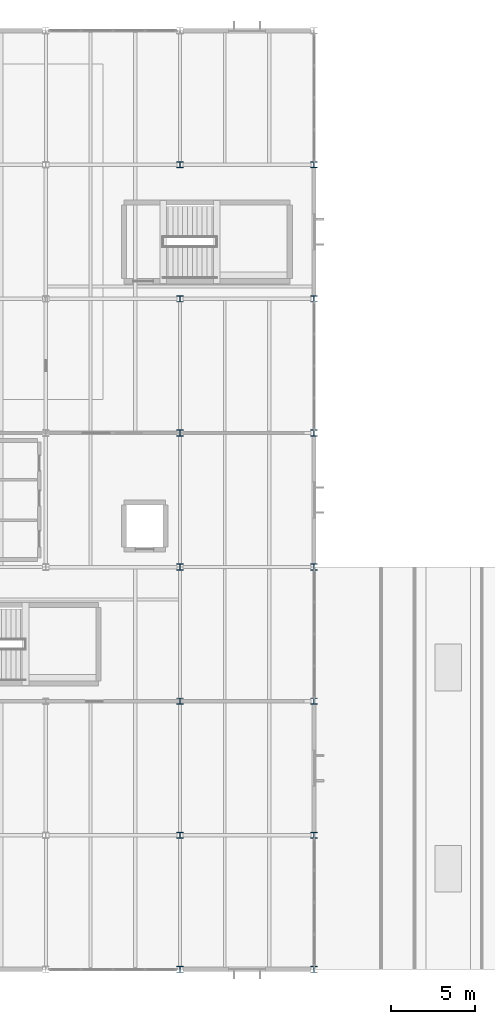
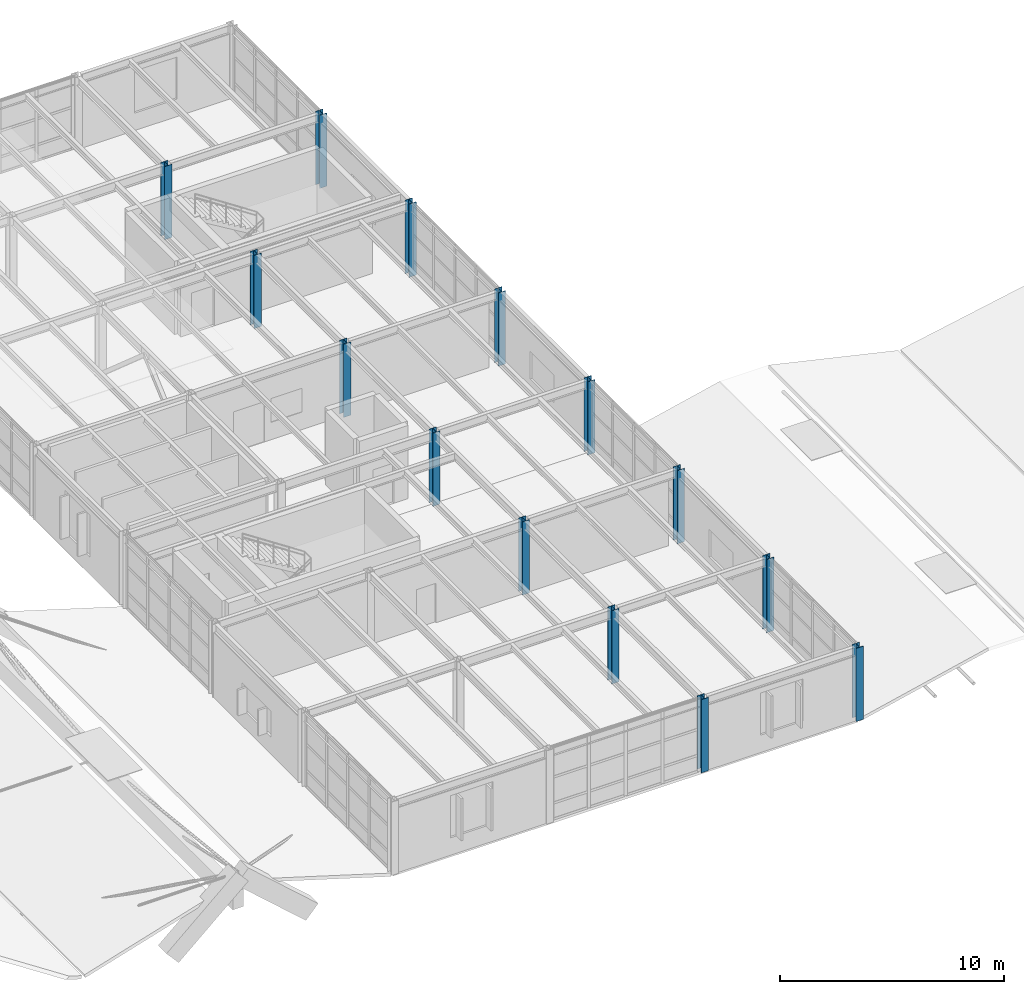
# One storey, part 7 of 50: 14 columns.
"""IFC4 building model written with IfcOpenShell, lengths in metres."""

from ifc_helpers import new_model, si_unit, direction, frame, origin, origin_2d, place, context, subcontext, project, spatial, i_section, extrude, material, material_profile, profile_set, type_object, element, save


model = new_model("IFC4")

# Units and contexts
model_context = context("Model", 3, precision=1e-05, world=origin(), true_north=direction((0.0, 1.0)))
body_context = subcontext(model_context, "Body", "Model", "MODEL_VIEW")
ifc_project = project(units=[si_unit("LENGTHUNIT", "METRE"), si_unit("AREAUNIT", "SQUARE_METRE"), si_unit("VOLUMEUNIT", "CUBIC_METRE"), si_unit("PLANEANGLEUNIT", "RADIAN"), si_unit("MASSUNIT", "GRAM", prefix="KILO")], contexts=[model_context])

# Site, building, storey
site_placement = place(None, origin())
site = spatial("IfcSite", under=ifc_project, at=site_placement, CompositionType="ELEMENT")
building_placement = place(site_placement, origin())
building = spatial("IfcBuilding", under=site, at=building_placement, Name="Varnela Railside Interchange", CompositionType="ELEMENT")
storey_placement = place(building_placement, frame((0.0, 0.0, 15.39990234375)))
storey = spatial("IfcBuildingStorey", under=building, at=storey_placement, Name="L03", CompositionType="ELEMENT", Elevation=15.39990234375)

# Columns
ifc_material = material(Name="Steel AR 350 (350 MPa)", Category="steel")
ifc_material_profile = material_profile(ifc_material, i_section(OverallWidth=0.373046875, OverallDepth=0.367919921875, WebThickness=0.014892578125, FlangeThickness=0.02392578125, at=origin_2d()), Name="W360x179")
ifc_profile_set = profile_set([ifc_material_profile], Name="Steel AR 350 (350 MPa)")
column_type = type_object("IfcColumnType", Name="Superstructure Steel Col C-18", PredefinedType="COLUMN", material=ifc_profile_set)
for number, where, z_axis, x_axis, name in (
    (1, (132.0, 38.0, 0.0), (0.0, 0.0, 1.0), (1.0, 0.0, 0.0), "Column C-18 (L03) (CL-0833)"),
    (2, (132.0, 46.0, 0.0), (0.0, 0.0, 1.0), (1.0, 0.0, 0.0), "Column C-18 (L03) (CL-0834)"),
    (3, (132.0, 54.0, 0.0), (0.0, 0.0, 1.0), (1.0, 0.0, 0.0), "Column C-18 (L03) (CL-0835)"),
    (4, (132.0, 62.0, 0.0), (0.0, 0.0, 1.0), (1.0, 0.0, 0.0), "Column C-18 (L03) (CL-0836)"),
    (5, (132.0, 70.0, 0.0), (0.0, 0.0, 1.0), (1.0, 0.0, 0.0), "Column C-18 (L03) (CL-0837)"),
    (6, (132.0, 78.0, 0.0), (0.0, 0.0, 1.0), (1.0, 0.0, 0.0), "Column C-18 (L03) (CL-0838)"),
    (7, (132.0, 86.0, 0.0), (0.0, 0.0, 1.0), (1.0, 0.0, 0.0), "Column C-18 (L03) (CL-0839)"),
    (8, (140.0, 38.0, 0.0), (0.0, 0.0, 1.0), (1.0, 0.0, 0.0), "Column C-18 (L03) (CL-0841)"),
    (9, (140.0, 46.0, 0.0), (0.0, 0.0, 1.0), (1.0, 0.0, 0.0), "Column C-18 (L03) (CL-0842)"),
    (10, (140.0, 54.0, 0.0), (0.0, 0.0, 1.0), (1.0, 0.0, 0.0), "Column C-18 (L03) (CL-0843)"),
    (11, (140.0, 62.0, 0.0), (0.0, 0.0, 1.0), (1.0, 0.0, 0.0), "Column C-18 (L03) (CL-0844)"),
    (12, (140.0, 70.0, 0.0), (0.0, 0.0, 1.0), (1.0, 0.0, 0.0), "Column C-18 (L03) (CL-0845)"),
    (13, (140.0, 78.0, 0.0), (0.0, 0.0, 1.0), (1.0, 0.0, 0.0), "Column C-18 (L03) (CL-0846)"),
    (14, (140.0, 86.0, 0.0), (0.0, 0.0, 1.0), (1.0, 0.0, 0.0), "Column C-18 (L03) (CL-0847)"),
):
    element("IfcColumn", number, at=place(storey_placement, frame(where, z_axis=z_axis, x_axis=x_axis)), inside=storey, type_object=column_type, Name=name, PredefinedType="COLUMN", context=body_context, shape_type="SweptSolid", body=[
        extrude(i_section(OverallWidth=0.373046875, OverallDepth=0.367919921875, WebThickness=0.014892578125, FlangeThickness=0.02392578125, at=origin_2d()), origin(), (0.0, 0.0, 1.0), 4.0),
    ])

save(model, "model.ifc")
